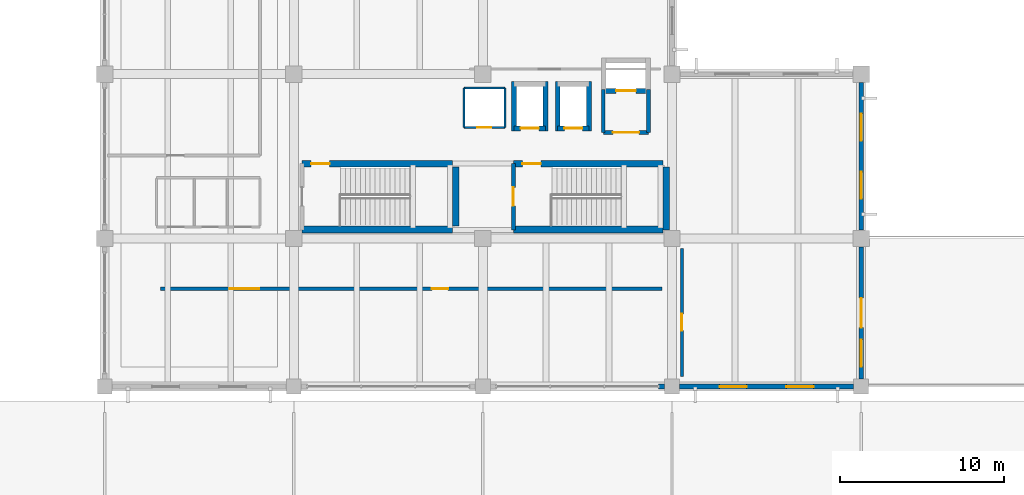
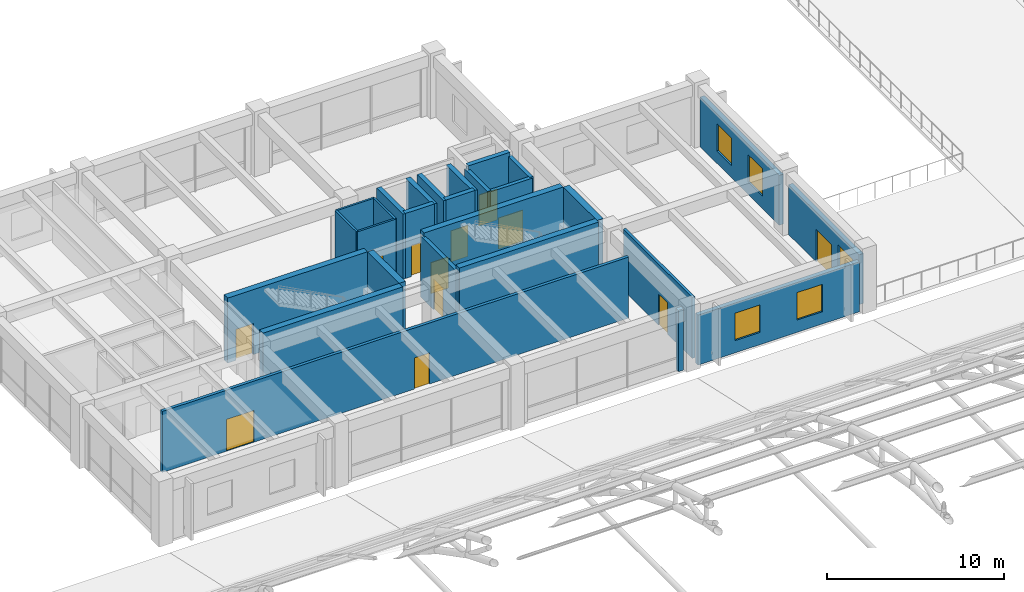
# One storey, part 141 of 154: 27 walls, 12 doors, 5 windows, 17 openings.
"""IFC4 building model written with IfcOpenShell, lengths in metres."""

from ifc_helpers import new_model, si_unit, direction, frame, frame_2d, origin, place, context, subcontext, project, spatial, rectangle, extrude, material, layer, layer_set, type_object, element, fill, save


model = new_model("IFC4")

# Units and contexts
model_context = context("Model", 3, precision=1e-05, world=origin(), true_north=direction((0.0, 1.0)))
body_context = subcontext(model_context, "Body", "Model", "MODEL_VIEW")
ifc_project = project(units=[si_unit("LENGTHUNIT", "METRE"), si_unit("AREAUNIT", "SQUARE_METRE"), si_unit("VOLUMEUNIT", "CUBIC_METRE"), si_unit("PLANEANGLEUNIT", "RADIAN"), si_unit("MASSUNIT", "GRAM", prefix="KILO")], contexts=[model_context])

# Site, building, storey
site_placement = place(None, origin())
site = spatial("IfcSite", under=ifc_project, at=site_placement, CompositionType="ELEMENT")
building_placement = place(site_placement, origin())
building = spatial("IfcBuilding", under=site, at=building_placement, Name="Ologun Quay Terminus", CompositionType="ELEMENT")
storey_placement = place(building_placement, frame((0.0, 0.0, 13.800048828125)))
storey = spatial("IfcBuildingStorey", under=building, at=storey_placement, Name="L03", CompositionType="ELEMENT", Elevation=13.800048828125)

# Wall, openings, doors
ifc_material_1 = material(Name="Concrete C40/50", Category="concrete")
ifc_layer_1 = layer(ifc_material_1, 0.199951171875)
ifc_layer_set_1 = layer_set([ifc_layer_1], Name="Concrete C40/50")
wall_type_1 = type_object("IfcWallType", Name="Corridor Fire-Rated Partition 200", PredefinedType="PARTITIONING", material=ifc_layer_set_1)
wall_1_placement = place(storey_placement, frame((118.39990234375, 91.75, 0.0), z_axis=(0.0, 0.0, 1.0), x_axis=(1.0, 0.0, 0.0)))
wall_1 = element("IfcWall", 1, at=wall_1_placement, inside=storey, type_object=wall_type_1, Name="PW-02 Partition ECor-S", PredefinedType="PARTITIONING", context=body_context, shape_type="SweptSolid", body=[
    extrude(rectangle(XDim=30.5, YDim=0.199951171875, at=frame_2d((15.25, 0.0))), origin(), (0.0, 0.0, 1.0), 4.219970703125),
])
opening_1_placement = place(wall_1_placement, frame((4.199951171875, 0.0, 0.0)))
opening_1 = element("IfcOpeningElement", 2, at=opening_1_placement, cuts=wall_1, Name="Opening ID-207", PredefinedType="OPENING", context=body_context, shape_type="SweptSolid", body=[
    extrude(rectangle(XDim=1.800048828125, YDim=2.199951171875, at=frame_2d((0.89990234375, 1.10009765625))), frame((0.0, 0.10986328125, 0.0), z_axis=(0.0, -1.0, 0.0), x_axis=(1.0, 0.0, 0.0)), (0.0, 0.0, 1.0), 0.219970703125),
])
opening_2_placement = place(wall_1_placement, frame((16.5, 0.0, 0.0)))
opening_2 = element("IfcOpeningElement", 3, at=opening_2_placement, cuts=wall_1, Name="Opening ID-208", PredefinedType="OPENING", context=body_context, shape_type="SweptSolid", body=[
    extrude(rectangle(XDim=0.97998046875, YDim=2.14990234375, at=frame_2d((0.489990234375, 1.074951171875))), frame((0.0, 0.10986328125, 0.0), z_axis=(0.0, -1.0, 0.0), x_axis=(1.0, 0.0, 0.0)), (0.0, 0.0, 1.0), 0.219970703125),
])
ifc_material_2 = material(Name="Steel S355", Category="steel")
door_type_1 = type_object("IfcDoorType", Name="Corridor Compartment Pair 1800x2200", OperationType="DOUBLE_DOOR_SINGLE_SWING", PredefinedType="DOOR", material=ifc_material_2)
door_1_placement = place(opening_1_placement, origin())
door_1 = element("IfcDoor", 4, at=door_1_placement, inside=storey, type_object=door_type_1, Name="FD-03 Door ID-207", OperationType="DOUBLE_DOOR_SINGLE_SWING", OverallHeight=2.199951171875, OverallWidth=1.800048828125, PredefinedType="DOOR", context=body_context, shape_type="SweptSolid", body=[
    extrude(rectangle(XDim=1.800048828125, YDim=2.199951171875, at=frame_2d((0.89990234375, 1.10009765625))), frame((0.0, 0.02490234375, 0.0), z_axis=(0.0, -1.0, 0.0), x_axis=(1.0, 0.0, 0.0)), (0.0, 0.0, 1.0), 0.050048828125),
])
fill(opening_1, door_1)
ifc_material_3 = material(Name="Timber Hardwood", Category="wood")
door_type_2 = type_object("IfcDoorType", Name="Operations Room Acoustic Leaf 980x2150", OperationType="SINGLE_SWING_LEFT", PredefinedType="DOOR", material=ifc_material_3)
door_2_placement = place(opening_2_placement, origin())
door_2 = element("IfcDoor", 5, at=door_2_placement, inside=storey, type_object=door_type_2, Name="ID-01 Door ID-208", OperationType="SINGLE_SWING_LEFT", OverallHeight=2.14990234375, OverallWidth=0.97998046875, PredefinedType="DOOR", context=body_context, shape_type="SweptSolid", body=[
    extrude(rectangle(XDim=0.97998046875, YDim=2.14990234375, at=frame_2d((0.489990234375, 1.074951171875))), frame((0.0, 0.02490234375, 0.0), z_axis=(0.0, -1.0, 0.0), x_axis=(1.0, 0.0, 0.0)), (0.0, 0.0, 1.0), 0.050048828125),
])
fill(opening_2, door_2)

# Wall
ifc_material_4 = material(Name="Concrete C40/50", Category="concrete")
ifc_layer_2 = layer(ifc_material_4, 0.39990234375)
ifc_layer_set_2 = layer_set([ifc_layer_2], Name="Concrete C40/50")
wall_type_2 = type_object("IfcWallType", Name="Coupled Wing Upper Core Shear Wall 400", PredefinedType="SHEAR", material=ifc_layer_set_2)
wall_2_placement = place(storey_placement, frame((127.0, 95.35009765625, 0.0), z_axis=(0.0, 0.0, 1.0), x_axis=(1.0, 0.0, 0.0)))
element("IfcWall", 6, at=wall_2_placement, inside=storey, type_object=wall_type_2, Name="EC1 Core South Shear Wall L03", PredefinedType="SHEAR", context=body_context, shape_type="SweptSolid", body=[
    extrude(rectangle(XDim=9.14990234375, YDim=0.39990234375, at=frame_2d((4.574951171875, 0.0))), origin(), (0.0, 0.0, 1.0), 4.5),
])

# Wall, opening, door
wall_3_placement = place(storey_placement, frame((127.0, 99.35009765625, 0.0), z_axis=(0.0, 0.0, 1.0), x_axis=(1.0, 0.0, 0.0)))
wall_3 = element("IfcWall", 7, at=wall_3_placement, inside=storey, type_object=wall_type_2, Name="EC1 Core North Shear Wall L03", PredefinedType="SHEAR", context=body_context, shape_type="SweptSolid", body=[
    extrude(rectangle(XDim=9.14990234375, YDim=0.39990234375, at=frame_2d((4.574951171875, 0.0))), origin(), (0.0, 0.0, 1.0), 4.5),
])
opening_3_placement = place(wall_3_placement, frame((0.550048828125, 0.0, 0.0)))
opening_3 = element("IfcOpeningElement", 8, at=opening_3_placement, cuts=wall_3, Name="Opening ID-199", PredefinedType="OPENING", context=body_context, shape_type="SweptSolid", body=[
    extrude(rectangle(XDim=1.1298828125, YDim=2.14990234375, at=frame_2d((0.56494140625, 1.074951171875))), frame((0.0, 0.2099609375, 0.0), z_axis=(0.0, -1.0, 0.0), x_axis=(1.0, 0.0, 0.0)), (0.0, 0.0, 1.0), 0.419921875),
])
ifc_material_5 = material(Name="Steel S355", Category="steel")
door_type_3 = type_object("IfcDoorType", Name="Stairwell Fire Escape Door 1130x2150", OperationType="SINGLE_SWING_LEFT", PredefinedType="DOOR", material=ifc_material_5)
door_3_placement = place(opening_3_placement, frame((0.56494140625, 0.0, 0.0), z_axis=(0.0, 0.0, 1.0), x_axis=(-1.0, 0.0, 0.0)))
door_3 = element("IfcDoor", 9, at=door_3_placement, inside=storey, type_object=door_type_3, Name="FD-01 Door ID-199", OperationType="SINGLE_SWING_LEFT", OverallHeight=2.14990234375, OverallWidth=1.1298828125, PredefinedType="DOOR", context=body_context, shape_type="SweptSolid", body=[
    extrude(rectangle(XDim=1.1298828125, YDim=2.14990234375, at=frame_2d((0.0, 1.074951171875))), frame((0.0, 0.02490234375, 0.0), z_axis=(0.0, -1.0, 0.0), x_axis=(1.0, 0.0, 0.0)), (0.0, 0.0, 1.0), 0.050048828125),
])
fill(opening_3, door_3)

# Walls
wall_4_placement = place(storey_placement, frame((136.35009765625, 95.550048828125, 0.0), z_axis=(0.0, 0.0, 1.0), x_axis=(0.0, 1.0, 0.0)))
element("IfcWall", 10, at=wall_4_placement, inside=storey, type_object=wall_type_2, Name="EC1 Core East Shear Wall L03", PredefinedType="SHEAR", context=body_context, shape_type="SweptSolid", body=[
    extrude(rectangle(XDim=3.599853515625, YDim=0.39990234375, at=frame_2d((1.7998046875, 0.0))), origin(), (0.0, 0.0, 1.0), 4.5),
])
wall_5_placement = place(storey_placement, frame((139.85009765625, 95.35009765625, 0.0), z_axis=(0.0, 0.0, 1.0), x_axis=(1.0, 0.0, 0.0)))
element("IfcWall", 11, at=wall_5_placement, inside=storey, type_object=wall_type_2, Name="EC2 Core South Shear Wall L03", PredefinedType="SHEAR", context=body_context, shape_type="SweptSolid", body=[
    extrude(rectangle(XDim=9.099853515625, YDim=0.39990234375, at=frame_2d((4.5498046875, 0.0))), origin(), (0.0, 0.0, 1.0), 4.5),
])

# Wall, opening, door
wall_6_placement = place(storey_placement, frame((139.85009765625, 99.35009765625, 0.0), z_axis=(0.0, 0.0, 1.0), x_axis=(1.0, 0.0, 0.0)))
wall_6 = element("IfcWall", 12, at=wall_6_placement, inside=storey, type_object=wall_type_2, Name="EC2 Core North Shear Wall L03", PredefinedType="SHEAR", context=body_context, shape_type="SweptSolid", body=[
    extrude(rectangle(XDim=9.099853515625, YDim=0.39990234375, at=frame_2d((4.5498046875, 0.0))), origin(), (0.0, 0.0, 1.0), 4.5),
])
opening_4_placement = place(wall_6_placement, frame((0.550048828125, 0.0, 0.0)))
opening_4 = element("IfcOpeningElement", 13, at=opening_4_placement, cuts=wall_6, Name="Opening ID-201", PredefinedType="OPENING", context=body_context, shape_type="SweptSolid", body=[
    extrude(rectangle(XDim=1.1298828125, YDim=2.14990234375, at=frame_2d((0.56494140625, 1.074951171875))), frame((0.0, 0.2099609375, 0.0), z_axis=(0.0, -1.0, 0.0), x_axis=(1.0, 0.0, 0.0)), (0.0, 0.0, 1.0), 0.419921875),
])
door_4_placement = place(opening_4_placement, frame((0.56494140625, 0.0, 0.0), z_axis=(0.0, 0.0, 1.0), x_axis=(-1.0, 0.0, 0.0)))
door_4 = element("IfcDoor", 14, at=door_4_placement, inside=storey, type_object=door_type_3, Name="FD-01 Door ID-201", OperationType="SINGLE_SWING_LEFT", OverallHeight=2.14990234375, OverallWidth=1.1298828125, PredefinedType="DOOR", context=body_context, shape_type="SweptSolid", body=[
    extrude(rectangle(XDim=1.1298828125, YDim=2.14990234375, at=frame_2d((0.0, 1.074951171875))), frame((0.0, 0.02490234375, 0.0), z_axis=(0.0, -1.0, 0.0), x_axis=(1.0, 0.0, 0.0)), (0.0, 0.0, 1.0), 0.050048828125),
])
fill(opening_4, door_4)

# Walls
wall_7_placement = place(storey_placement, frame((149.14990234375, 95.320068359375, 0.0), z_axis=(0.0, 0.0, 1.0), x_axis=(0.0, 1.0, 0.0)))
element("IfcWall", 15, at=wall_7_placement, inside=storey, type_object=wall_type_2, Name="EC2 Core East Shear Wall L03", PredefinedType="SHEAR", context=body_context, shape_type="SweptSolid", body=[
    extrude(rectangle(XDim=3.829833984375, YDim=0.39990234375, at=frame_2d((1.9150390625, 0.0))), origin(), (0.0, 0.0, 1.0), 4.5),
])
ifc_material_6 = material(Name="Concrete C40/50", Category="concrete")
ifc_layer_3 = layer(ifc_material_6, 0.280029296875)
ifc_layer_set_3 = layer_set([ifc_layer_3], Name="Concrete C40/50")
wall_type_3 = type_object("IfcWallType", Name="Courtyard Wing Spandrel Concrete Wall 280", PredefinedType="SOLIDWALL", material=ifc_layer_set_3)
wall_8_placement = place(storey_placement, frame((148.679931640625, 85.800048828125, 0.0), z_axis=(0.0, 0.0, 1.0), x_axis=(1.0, 0.0, 0.0)))
element("IfcWall", 16, at=wall_8_placement, inside=storey, type_object=wall_type_3, Name="Curtain Wall Jamb Pier CW-L03-139-J2", PredefinedType="SOLIDWALL", context=body_context, shape_type="SweptSolid", body=[
    extrude(rectangle(XDim=0.35009765625, YDim=0.280029296875, at=frame_2d((0.175048828125, 0.0))), origin(), (0.0, 0.0, 1.0), 4.22998046875),
])

# Wall, openings, windows
wall_9_placement = place(storey_placement, frame((149.969970703125, 85.800048828125, 0.0), z_axis=(0.0, 0.0, 1.0), x_axis=(1.0, 0.0, 0.0)))
wall_9 = element("IfcWall", 17, at=wall_9_placement, inside=storey, type_object=wall_type_3, Name="EW-02 Facade Wall WEW-EW-L03-4", PredefinedType="SOLIDWALL", context=body_context, shape_type="SweptSolid", body=[
    extrude(rectangle(XDim=10.56005859375, YDim=0.280029296875, at=frame_2d((5.280029296875, 0.0))), origin(), (0.0, 0.0, 1.0), 3.449951171875),
])
opening_5_placement = place(wall_9_placement, frame((2.419921875, 0.0, 0.85009765625)))
opening_5 = element("IfcOpeningElement", 18, at=opening_5_placement, cuts=wall_9, Name="Opening WN-417", PredefinedType="OPENING", context=body_context, shape_type="SweptSolid", body=[
    extrude(rectangle(XDim=1.64990234375, YDim=1.89990234375, at=frame_2d((0.824951171875, 0.949951171875))), frame((0.0, 0.14990234375, 0.0), z_axis=(0.0, -1.0, 0.0), x_axis=(1.0, 0.0, 0.0)), (0.0, 0.0, 1.0), 0.300048828125),
])
opening_6_placement = place(wall_9_placement, frame((6.489990234375, 0.0, 0.85009765625)))
opening_6 = element("IfcOpeningElement", 19, at=opening_6_placement, cuts=wall_9, Name="Opening WN-418", PredefinedType="OPENING", context=body_context, shape_type="SweptSolid", body=[
    extrude(rectangle(XDim=1.64990234375, YDim=1.89990234375, at=frame_2d((0.824951171875, 0.949951171875))), frame((0.0, 0.14990234375, 0.0), z_axis=(0.0, -1.0, 0.0), x_axis=(1.0, 0.0, 0.0)), (0.0, 0.0, 1.0), 0.300048828125),
])
ifc_material_7 = material(Name="Glass", Category="glass")
window_type = type_object("IfcWindowType", Name="Operations Admin Solar Window 1650x1900", PartitioningType="SINGLE_PANEL", PredefinedType="WINDOW", material=ifc_material_7)
window_1_placement = place(opening_5_placement, origin())
window_1 = element("IfcWindow", 20, at=window_1_placement, inside=storey, type_object=window_type, Name="W-21 Window WN-417", OverallHeight=1.89990234375, OverallWidth=1.64990234375, PartitioningType="SINGLE_PANEL", PredefinedType="WINDOW", context=body_context, shape_type="SweptSolid", body=[
    extrude(rectangle(XDim=1.64990234375, YDim=1.89990234375, at=frame_2d((0.824951171875, 0.949951171875))), frame((0.0, 0.030029296875, 0.0), z_axis=(0.0, -1.0, 0.0), x_axis=(1.0, 0.0, 0.0)), (0.0, 0.0, 1.0), 0.06005859375),
])
fill(opening_5, window_1)
window_2_placement = place(opening_6_placement, origin())
window_2 = element("IfcWindow", 21, at=window_2_placement, inside=storey, type_object=window_type, Name="W-21 Window WN-418", OverallHeight=1.89990234375, OverallWidth=1.64990234375, PartitioningType="SINGLE_PANEL", PredefinedType="WINDOW", context=body_context, shape_type="SweptSolid", body=[
    extrude(rectangle(XDim=1.64990234375, YDim=1.89990234375, at=frame_2d((0.824951171875, 0.949951171875))), frame((0.0, 0.030029296875, 0.0), z_axis=(0.0, -1.0, 0.0), x_axis=(1.0, 0.0, 0.0)), (0.0, 0.0, 1.0), 0.06005859375),
])
fill(opening_6, window_2)

# Wall, openings, window, door
wall_10_placement = place(storey_placement, frame((161.0, 86.27001953125, 0.0), z_axis=(0.0, 0.0, 1.0), x_axis=(0.0, 1.0, 0.0)))
wall_10 = element("IfcWall", 22, at=wall_10_placement, inside=storey, type_object=wall_type_3, Name="EW-02 Facade Wall WEW-EW-TER-L03-5", PredefinedType="SOLIDWALL", context=body_context, shape_type="SweptSolid", body=[
    extrude(rectangle(XDim=8.010009765625, YDim=0.280029296875, at=frame_2d((4.0048828125, 0.0))), origin(), (0.0, 0.0, 1.0), 3.449951171875),
])
opening_7_placement = place(wall_10_placement, frame((3.10498046875, 0.0, 0.0)))
opening_7 = element("IfcOpeningElement", 23, at=opening_7_placement, cuts=wall_10, Name="Opening ED-028", PredefinedType="OPENING", context=body_context, shape_type="SweptSolid", body=[
    extrude(rectangle(XDim=1.800048828125, YDim=2.25, at=frame_2d((0.89990234375, 1.125))), frame((0.0, 0.14990234375, 0.0), z_axis=(0.0, -1.0, 0.0), x_axis=(1.0, 0.0, 0.0)), (0.0, 0.0, 1.0), 0.300048828125),
])
opening_8_placement = place(wall_10_placement, frame((0.7275390625, 0.0, 0.780029296875)))
opening_8 = element("IfcOpeningElement", 24, at=opening_8_placement, cuts=wall_10, Name="Opening WN-419", PredefinedType="OPENING", context=body_context, shape_type="SweptSolid", body=[
    extrude(rectangle(XDim=1.64990234375, YDim=1.89990234375, at=frame_2d((0.824951171875, 0.949951171875))), frame((0.0, 0.14990234375, 0.0), z_axis=(0.0, -1.0, 0.0), x_axis=(1.0, 0.0, 0.0)), (0.0, 0.0, 1.0), 0.300048828125),
])
window_3_placement = place(opening_8_placement, origin())
window_3 = element("IfcWindow", 25, at=window_3_placement, inside=storey, type_object=window_type, Name="W-21 Window WN-419", OverallHeight=1.89990234375, OverallWidth=1.64990234375, PartitioningType="SINGLE_PANEL", PredefinedType="WINDOW", context=body_context, shape_type="SweptSolid", body=[
    extrude(rectangle(XDim=1.64990234375, YDim=1.89990234375, at=frame_2d((0.824951171875, 0.949951171875))), frame((0.0, 0.030029296875, 0.0), z_axis=(0.0, -1.0, 0.0), x_axis=(1.0, 0.0, 0.0)), (0.0, 0.0, 1.0), 0.06005859375),
])
fill(opening_8, window_3)
ifc_material_8 = material(Name="Glass", Category="glass")
door_type_4 = type_object("IfcDoorType", Name="Walkable Terrace Glazed Access Door 1800x2250", OperationType="DOUBLE_DOOR_SINGLE_SWING", PredefinedType="DOOR", material=ifc_material_8)
door_5_placement = place(opening_7_placement, frame((0.89990234375, 0.0, 0.0), z_axis=(0.0, 0.0, 1.0), x_axis=(-1.0, 0.0, 0.0)))
door_5 = element("IfcDoor", 26, at=door_5_placement, inside=storey, type_object=door_type_4, Name="D-05 Exterior Door ED-028", OperationType="DOUBLE_DOOR_SINGLE_SWING", OverallHeight=2.25, OverallWidth=1.800048828125, PredefinedType="DOOR", context=body_context, shape_type="SweptSolid", body=[
    extrude(rectangle(XDim=1.800048828125, YDim=2.25, at=frame_2d((0.0, 1.125))), frame((0.0, 0.02490234375, 0.0), z_axis=(0.0, -1.0, 0.0), x_axis=(1.0, 0.0, 0.0)), (0.0, 0.0, 1.0), 0.050048828125),
])
fill(opening_7, door_5)

# Wall, openings, windows
wall_11_placement = place(storey_placement, frame((161.0, 95.320068359375, 0.0), z_axis=(0.0, 0.0, 1.0), x_axis=(0.0, 1.0, 0.0)))
wall_11 = element("IfcWall", 27, at=wall_11_placement, inside=storey, type_object=wall_type_3, Name="EW-02 Facade Wall WEW-EW-L03-6", PredefinedType="SOLIDWALL", context=body_context, shape_type="SweptSolid", body=[
    extrude(rectangle(XDim=8.9599609375, YDim=0.280029296875, at=frame_2d((4.47998046875, 0.0))), origin(), (0.0, 0.0, 1.0), 3.449951171875),
])
opening_9_placement = place(wall_11_placement, frame((1.88671875, 0.0, 0.85009765625)))
opening_9 = element("IfcOpeningElement", 28, at=opening_9_placement, cuts=wall_11, Name="Opening WN-420", PredefinedType="OPENING", context=body_context, shape_type="SweptSolid", body=[
    extrude(rectangle(XDim=1.64990234375, YDim=1.89990234375, at=frame_2d((0.824951171875, 0.949951171875))), frame((0.0, 0.14990234375, 0.0), z_axis=(0.0, -1.0, 0.0), x_axis=(1.0, 0.0, 0.0)), (0.0, 0.0, 1.0), 0.300048828125),
])
opening_10_placement = place(wall_11_placement, frame((5.42333984375, 0.0, 0.85009765625)))
opening_10 = element("IfcOpeningElement", 29, at=opening_10_placement, cuts=wall_11, Name="Opening WN-421", PredefinedType="OPENING", context=body_context, shape_type="SweptSolid", body=[
    extrude(rectangle(XDim=1.64990234375, YDim=1.89990234375, at=frame_2d((0.824951171875, 0.949951171875))), frame((0.0, 0.14990234375, 0.0), z_axis=(0.0, -1.0, 0.0), x_axis=(1.0, 0.0, 0.0)), (0.0, 0.0, 1.0), 0.300048828125),
])
window_4_placement = place(opening_9_placement, origin())
window_4 = element("IfcWindow", 30, at=window_4_placement, inside=storey, type_object=window_type, Name="W-21 Window WN-420", OverallHeight=1.89990234375, OverallWidth=1.64990234375, PartitioningType="SINGLE_PANEL", PredefinedType="WINDOW", context=body_context, shape_type="SweptSolid", body=[
    extrude(rectangle(XDim=1.64990234375, YDim=1.89990234375, at=frame_2d((0.824951171875, 0.949951171875))), frame((0.0, 0.030029296875, 0.0), z_axis=(0.0, -1.0, 0.0), x_axis=(1.0, 0.0, 0.0)), (0.0, 0.0, 1.0), 0.06005859375),
])
fill(opening_9, window_4)
window_5_placement = place(opening_10_placement, origin())
window_5 = element("IfcWindow", 31, at=window_5_placement, inside=storey, type_object=window_type, Name="W-21 Window WN-421", OverallHeight=1.89990234375, OverallWidth=1.64990234375, PartitioningType="SINGLE_PANEL", PredefinedType="WINDOW", context=body_context, shape_type="SweptSolid", body=[
    extrude(rectangle(XDim=1.64990234375, YDim=1.89990234375, at=frame_2d((0.824951171875, 0.949951171875))), frame((0.0, 0.030029296875, 0.0), z_axis=(0.0, -1.0, 0.0), x_axis=(1.0, 0.0, 0.0)), (0.0, 0.0, 1.0), 0.06005859375),
])
fill(opening_10, window_5)

# Wall, opening, door
ifc_material_9 = material(Name="Concrete C40/50", Category="concrete")
ifc_layer_4 = layer(ifc_material_9, 0.239990234375)
ifc_layer_set_4 = layer_set([ifc_layer_4], Name="Concrete C40/50")
wall_type_4 = type_object("IfcWallType", Name="Fire Compartment Blockwork Wall 240", PredefinedType="SOLIDWALL", material=ifc_layer_set_4)
wall_12_placement = place(storey_placement, frame((139.85009765625, 95.330078125, 0.0), z_axis=(0.0, 0.0, 1.0), x_axis=(0.0, 1.0, 0.0)))
wall_12 = element("IfcWall", 32, at=wall_12_placement, inside=storey, type_object=wall_type_4, Name="PW-01 Partition EStair2-W", PredefinedType="SOLIDWALL", context=body_context, shape_type="SweptSolid", body=[
    extrude(rectangle(XDim=4.0400390625, YDim=0.239990234375, at=frame_2d((2.02001953125, 0.0))), origin(), (0.0, 0.0, 1.0), 4.219970703125),
])
opening_11_placement = place(wall_12_placement, frame((1.449951171875, 0.0, 0.0)))
opening_11 = element("IfcOpeningElement", 33, at=opening_11_placement, cuts=wall_12, Name="Opening ID-200", PredefinedType="OPENING", context=body_context, shape_type="SweptSolid", body=[
    extrude(rectangle(XDim=1.1298828125, YDim=2.14990234375, at=frame_2d((0.56494140625, 1.074951171875))), frame((0.0, 0.1298828125, 0.0), z_axis=(0.0, -1.0, 0.0), x_axis=(1.0, 0.0, 0.0)), (0.0, 0.0, 1.0), 0.260009765625),
])
door_6_placement = place(opening_11_placement, frame((0.56494140625, 0.0, 0.0), z_axis=(0.0, 0.0, 1.0), x_axis=(-1.0, 0.0, 0.0)))
door_6 = element("IfcDoor", 34, at=door_6_placement, inside=storey, type_object=door_type_3, Name="FD-01 Door ID-200", OperationType="SINGLE_SWING_LEFT", OverallHeight=2.14990234375, OverallWidth=1.1298828125, PredefinedType="DOOR", context=body_context, shape_type="SweptSolid", body=[
    extrude(rectangle(XDim=1.1298828125, YDim=2.14990234375, at=frame_2d((0.0, 1.074951171875))), frame((0.0, 0.02490234375, 0.0), z_axis=(0.0, -1.0, 0.0), x_axis=(1.0, 0.0, 0.0)), (0.0, 0.0, 1.0), 0.050048828125),
])
fill(opening_11, door_6)

wall_13_placement = place(storey_placement, frame((145.320068359375, 101.25, 0.0), z_axis=(0.0, 0.0, 1.0), x_axis=(1.0, 0.0, 0.0)))
wall_13 = element("IfcWall", 35, at=wall_13_placement, inside=storey, type_object=wall_type_4, Name="PW-01 Partition EFFL-S", PredefinedType="SOLIDWALL", context=body_context, shape_type="SweptSolid", body=[
    extrude(rectangle(XDim=2.760009765625, YDim=0.239990234375, at=frame_2d((1.3798828125, 0.0))), origin(), (0.0, 0.0, 1.0), 4.219970703125),
])
opening_12_placement = place(wall_13_placement, frame((0.580078125, 0.0, 0.0)))
opening_12 = element("IfcOpeningElement", 36, at=opening_12_placement, cuts=wall_13, Name="Opening ID-202", PredefinedType="OPENING", context=body_context, shape_type="SweptSolid", body=[
    extrude(rectangle(XDim=1.60009765625, YDim=2.14990234375, at=frame_2d((0.800048828125, 1.074951171875))), frame((0.0, 0.1298828125, 0.0), z_axis=(0.0, -1.0, 0.0), x_axis=(1.0, 0.0, 0.0)), (0.0, 0.0, 1.0), 0.260009765625),
])
ifc_material_10 = material(Name="Steel S355", Category="steel")
door_type_5 = type_object("IfcDoorType", Name="Firefighting Lobby Double Smoke Door 1600x2150", OperationType="DOUBLE_DOOR_SINGLE_SWING", PredefinedType="DOOR", material=ifc_material_10)
door_7_placement = place(opening_12_placement, origin())
door_7 = element("IfcDoor", 37, at=door_7_placement, inside=storey, type_object=door_type_5, Name="FD-02 Door ID-202", OperationType="DOUBLE_DOOR_SINGLE_SWING", OverallHeight=2.14990234375, OverallWidth=1.60009765625, PredefinedType="DOOR", context=body_context, shape_type="SweptSolid", body=[
    extrude(rectangle(XDim=1.60009765625, YDim=2.14990234375, at=frame_2d((0.800048828125, 1.074951171875))), frame((0.0, 0.02490234375, 0.0), z_axis=(0.0, -1.0, 0.0), x_axis=(1.0, 0.0, 0.0)), (0.0, 0.0, 1.0), 0.050048828125),
])
fill(opening_12, door_7)

# Walls
for number, where, z_axis, x_axis, name in (
    (38, (145.320068359375, 101.25, 0.0), (0.0, 0.0, 1.0), (0.0, 1.0, 0.0), "PW-01 Partition EFFL-W"),
    (39, (148.080078125, 101.25, 0.0), (0.0, 0.0, 1.0), (0.0, 1.0, 0.0), "PW-01 Partition EFFL-E"),
):
    element("IfcWall", number, at=place(storey_placement, frame(where, z_axis=z_axis, x_axis=x_axis)), inside=storey, type_object=wall_type_4, Name=name, PredefinedType="SOLIDWALL", context=body_context, shape_type="SweptSolid", body=[
        extrude(rectangle(XDim=2.60009765625, YDim=0.239990234375, at=frame_2d((1.300048828125, 0.0))), origin(), (0.0, 0.0, 1.0), 4.219970703125),
    ])

# Wall, opening, door
ifc_material_11 = material(Name="Concrete C40/50", Category="concrete")
ifc_layer_5 = layer(ifc_material_11, 0.300048828125)
ifc_layer_set_5 = layer_set([ifc_layer_5], Name="Concrete C40/50")
wall_type_5 = type_object("IfcWallType", Name="Lift Shaft Structural Shear Wall 300", PredefinedType="SHEAR", material=ifc_layer_set_5)
wall_14_placement = place(storey_placement, frame((145.35009765625, 103.780029296875, 0.0), z_axis=(0.0, 0.0, 1.0), x_axis=(1.0, 0.0, 0.0)))
wall_14 = element("IfcWall", 40, at=wall_14_placement, inside=storey, type_object=wall_type_5, Name="Lift FFL-02 Shaft Wall S L03", PredefinedType="SHEAR", context=body_context, shape_type="SweptSolid", body=[
    extrude(rectangle(XDim=2.699951171875, YDim=0.300048828125, at=frame_2d((1.35009765625, 0.0))), origin(), (0.0, 0.0, 1.0), 4.5),
])
opening_13_placement = place(wall_14_placement, frame((0.75, 0.0, 0.0)))
opening_13 = element("IfcOpeningElement", 41, at=opening_13_placement, cuts=wall_14, Name="Opening ID-013", PredefinedType="OPENING", context=body_context, shape_type="SweptSolid", body=[
    extrude(rectangle(XDim=1.199951171875, YDim=2.14990234375, at=frame_2d((0.60009765625, 1.074951171875))), frame((0.0, 0.16015625, 0.0), z_axis=(0.0, -1.0, 0.0), x_axis=(1.0, 0.0, 0.0)), (0.0, 0.0, 1.0), 0.320068359375),
])
ifc_material_12 = material(Name="Steel S355", Category="steel")
door_type_6 = type_object("IfcDoorType", Name="Firefighting Lift Landing Sliding Door 1200x2150", OperationType="SLIDING_TO_RIGHT", PredefinedType="DOOR", material=ifc_material_12)
door_8_placement = place(opening_13_placement, origin())
door_8 = element("IfcDoor", 42, at=door_8_placement, inside=storey, type_object=door_type_6, Name="LD-02 Door ID-013", OperationType="SLIDING_TO_RIGHT", OverallHeight=2.14990234375, OverallWidth=1.199951171875, PredefinedType="DOOR", context=body_context, shape_type="SweptSolid", body=[
    extrude(rectangle(XDim=1.199951171875, YDim=2.14990234375, at=frame_2d((0.60009765625, 1.074951171875))), frame((0.0, 0.02490234375, 0.0), z_axis=(0.0, -1.0, 0.0), x_axis=(1.0, 0.0, 0.0)), (0.0, 0.0, 1.0), 0.050048828125),
])
fill(opening_13, door_8)

wall_15_placement = place(storey_placement, frame((139.89990234375, 101.5, 0.0), z_axis=(0.0, 0.0, 1.0), x_axis=(1.0, 0.0, 0.0)))
wall_15 = element("IfcWall", 43, at=wall_15_placement, inside=storey, type_object=wall_type_5, Name="Lift PL-E1 Shaft Wall S L03", PredefinedType="SHEAR", context=body_context, shape_type="SweptSolid", body=[
    extrude(rectangle(XDim=1.900146484375, YDim=0.300048828125, at=frame_2d((0.9501953125, 0.0))), origin(), (0.0, 0.0, 1.0), 4.5),
])
opening_14_placement = place(wall_15_placement, frame((0.39990234375, 0.0, 0.0)))
opening_14 = element("IfcOpeningElement", 44, at=opening_14_placement, cuts=wall_15, Name="Opening ID-035", PredefinedType="OPENING", context=body_context, shape_type="SweptSolid", body=[
    extrude(rectangle(XDim=1.10009765625, YDim=2.14990234375, at=frame_2d((0.550048828125, 1.074951171875))), frame((0.0, 0.16015625, 0.0), z_axis=(0.0, -1.0, 0.0), x_axis=(1.0, 0.0, 0.0)), (0.0, 0.0, 1.0), 0.320068359375),
])
ifc_material_13 = material(Name="Steel S355", Category="steel")
door_type_7 = type_object("IfcDoorType", Name="Lift Landing Sliding Door 1100x2150", OperationType="SLIDING_TO_LEFT", PredefinedType="DOOR", material=ifc_material_13)
door_9_placement = place(opening_14_placement, origin())
door_9 = element("IfcDoor", 45, at=door_9_placement, inside=storey, type_object=door_type_7, Name="LD-01 Door ID-035", OperationType="SLIDING_TO_LEFT", OverallHeight=2.14990234375, OverallWidth=1.10009765625, PredefinedType="DOOR", context=body_context, shape_type="SweptSolid", body=[
    extrude(rectangle(XDim=1.10009765625, YDim=2.14990234375, at=frame_2d((0.550048828125, 1.074951171875))), frame((0.0, 0.02490234375, 0.0), z_axis=(0.0, -1.0, 0.0), x_axis=(1.0, 0.0, 0.0)), (0.0, 0.0, 1.0), 0.050048828125),
])
fill(opening_14, door_9)

# Walls
for number, where, z_axis, x_axis, name in (
    (46, (139.89990234375, 101.35009765625, 0.0), (0.0, 0.0, 1.0), (0.0, 1.0, 0.0), "Lift PL-E1 Shaft Wall W L03"),
    (47, (141.800048828125, 101.35009765625, 0.0), (0.0, 0.0, 1.0), (0.0, 1.0, 0.0), "Lift PL-E1 Shaft Wall E L03"),
):
    element("IfcWall", number, at=place(storey_placement, frame(where, z_axis=z_axis, x_axis=x_axis)), inside=storey, type_object=wall_type_5, Name=name, PredefinedType="SHEAR", context=body_context, shape_type="SweptSolid", body=[
        extrude(rectangle(XDim=3.0, YDim=0.300048828125, at=frame_2d((1.5, 0.0))), origin(), (0.0, 0.0, 1.0), 4.5),
    ])

# Wall, opening, door
wall_16_placement = place(storey_placement, frame((142.550048828125, 101.5, 0.0), z_axis=(0.0, 0.0, 1.0), x_axis=(1.0, 0.0, 0.0)))
wall_16 = element("IfcWall", 48, at=wall_16_placement, inside=storey, type_object=wall_type_5, Name="Lift PL-E2 Shaft Wall S L03", PredefinedType="SHEAR", context=body_context, shape_type="SweptSolid", body=[
    extrude(rectangle(XDim=1.89990234375, YDim=0.300048828125, at=frame_2d((0.949951171875, 0.0))), origin(), (0.0, 0.0, 1.0), 4.5),
])
opening_15_placement = place(wall_16_placement, frame((0.39990234375, 0.0, 0.0)))
opening_15 = element("IfcOpeningElement", 49, at=opening_15_placement, cuts=wall_16, Name="Opening ID-043", PredefinedType="OPENING", context=body_context, shape_type="SweptSolid", body=[
    extrude(rectangle(XDim=1.10009765625, YDim=2.14990234375, at=frame_2d((0.550048828125, 1.074951171875))), frame((0.0, 0.16015625, 0.0), z_axis=(0.0, -1.0, 0.0), x_axis=(1.0, 0.0, 0.0)), (0.0, 0.0, 1.0), 0.320068359375),
])
door_10_placement = place(opening_15_placement, origin())
door_10 = element("IfcDoor", 50, at=door_10_placement, inside=storey, type_object=door_type_7, Name="LD-01 Door ID-043", OperationType="SLIDING_TO_LEFT", OverallHeight=2.14990234375, OverallWidth=1.10009765625, PredefinedType="DOOR", context=body_context, shape_type="SweptSolid", body=[
    extrude(rectangle(XDim=1.10009765625, YDim=2.14990234375, at=frame_2d((0.550048828125, 1.074951171875))), frame((0.0, 0.02490234375, 0.0), z_axis=(0.0, -1.0, 0.0), x_axis=(1.0, 0.0, 0.0)), (0.0, 0.0, 1.0), 0.050048828125),
])
fill(opening_15, door_10)

# Walls
for number, where, z_axis, x_axis, name in (
    (51, (142.550048828125, 101.35009765625, 0.0), (0.0, 0.0, 1.0), (0.0, 1.0, 0.0), "Lift PL-E2 Shaft Wall W L03"),
    (52, (144.449951171875, 101.35009765625, 0.0), (0.0, 0.0, 1.0), (0.0, 1.0, 0.0), "Lift PL-E2 Shaft Wall E L03"),
):
    element("IfcWall", number, at=place(storey_placement, frame(where, z_axis=z_axis, x_axis=x_axis)), inside=storey, type_object=wall_type_5, Name=name, PredefinedType="SHEAR", context=body_context, shape_type="SweptSolid", body=[
        extrude(rectangle(XDim=3.0, YDim=0.300048828125, at=frame_2d((1.5, 0.0))), origin(), (0.0, 0.0, 1.0), 4.5),
    ])

# Wall, opening, door
ifc_material_14 = material(Name="Gypsum Acoustic Stud")
ifc_layer_6 = layer(ifc_material_14, 0.175048828125)
ifc_layer_set_6 = layer_set([ifc_layer_6], Name="Gypsum Acoustic Stud")
wall_type_6 = type_object("IfcWallType", Name="Operations & Control Acoustic Partition 175", PredefinedType="PARTITIONING", material=ifc_layer_set_6)
wall_17_placement = place(storey_placement, frame((150.10009765625, 86.39990234375, 0.0), z_axis=(0.0, 0.0, 1.0), x_axis=(0.0, 1.0, 0.0)))
wall_17 = element("IfcWall", 53, at=wall_17_placement, inside=storey, type_object=wall_type_6, Name="PW-03 Partition L03-CrewBriefing-W", PredefinedType="PARTITIONING", context=body_context, shape_type="SweptSolid", body=[
    extrude(rectangle(XDim=7.800048828125, YDim=0.175048828125, at=frame_2d((3.89990234375, 0.0))), origin(), (0.0, 0.0, 1.0), 4.219970703125),
])
opening_16_placement = place(wall_17_placement, frame((2.800048828125, 0.0, 0.0)))
opening_16 = element("IfcOpeningElement", 54, at=opening_16_placement, cuts=wall_17, Name="Opening ID-331", PredefinedType="OPENING", context=body_context, shape_type="SweptSolid", body=[
    extrude(rectangle(XDim=1.02001953125, YDim=2.14990234375, at=frame_2d((0.510009765625, 1.074951171875))), frame((0.0, 0.09765625, 0.0), z_axis=(0.0, -1.0, 0.0), x_axis=(1.0, 0.0, 0.0)), (0.0, 0.0, 1.0), 0.195068359375),
])
ifc_material_15 = material(Name="Timber Hardwood", Category="wood")
door_type_8 = type_object("IfcDoorType", Name="Administration Suite Door 1020x2150", OperationType="SINGLE_SWING_RIGHT", PredefinedType="DOOR", material=ifc_material_15)
door_11_placement = place(opening_16_placement, origin())
door_11 = element("IfcDoor", 55, at=door_11_placement, inside=storey, type_object=door_type_8, Name="ID-02 Door ID-331", OperationType="SINGLE_SWING_RIGHT", OverallHeight=2.14990234375, OverallWidth=1.02001953125, PredefinedType="DOOR", context=body_context, shape_type="SweptSolid", body=[
    extrude(rectangle(XDim=1.02001953125, YDim=2.14990234375, at=frame_2d((0.510009765625, 1.074951171875))), frame((0.0, 0.02490234375, 0.0), z_axis=(0.0, -1.0, 0.0), x_axis=(1.0, 0.0, 0.0)), (0.0, 0.0, 1.0), 0.050048828125),
])
fill(opening_16, door_11)

ifc_material_16 = material(Name="Concrete C40/50", Category="concrete")
ifc_layer_7 = layer(ifc_material_16, 0.1298828125)
ifc_layer_set_7 = layer_set([ifc_layer_7], Name="Concrete C40/50")
wall_type_7 = type_object("IfcWallType", Name="Riser & Service Duct Wall 130", PredefinedType="PLUMBINGWALL", material=ifc_layer_set_7)
wall_18_placement = place(storey_placement, frame((136.85009765625, 101.550048828125, 0.0), z_axis=(0.0, 0.0, 1.0), x_axis=(1.0, 0.0, 0.0)))
wall_18 = element("IfcWall", 56, at=wall_18_placement, inside=storey, type_object=wall_type_7, Name="PW-07 Partition ERiser-S", PredefinedType="PLUMBINGWALL", context=body_context, shape_type="SweptSolid", body=[
    extrude(rectangle(XDim=2.5, YDim=0.1298828125, at=frame_2d((1.25, 0.0))), origin(), (0.0, 0.0, 1.0), 4.219970703125),
])
opening_17_placement = place(wall_18_placement, frame((0.820068359375, 0.0, 0.0)))
opening_17 = element("IfcOpeningElement", 57, at=opening_17_placement, cuts=wall_18, Name="Opening ID-203", PredefinedType="OPENING", context=body_context, shape_type="SweptSolid", body=[
    extrude(rectangle(XDim=0.85009765625, YDim=2.0, at=frame_2d((0.425048828125, 1.0))), frame((0.0, 0.074951171875, 0.0), z_axis=(0.0, -1.0, 0.0), x_axis=(1.0, 0.0, 0.0)), (0.0, 0.0, 1.0), 0.14990234375),
])
ifc_material_17 = material(Name="Steel S355", Category="steel")
door_type_9 = type_object("IfcDoorType", Name="MEP Riser Access Trapdoor 850x2000", OperationType="SINGLE_SWING_LEFT", PredefinedType="TRAPDOOR", material=ifc_material_17)
door_12_placement = place(opening_17_placement, origin())
door_12 = element("IfcDoor", 58, at=door_12_placement, inside=storey, type_object=door_type_9, Name="RD-01 Door ID-203", OperationType="SINGLE_SWING_LEFT", OverallHeight=2.0, OverallWidth=0.85009765625, PredefinedType="TRAPDOOR", context=body_context, shape_type="SweptSolid", body=[
    extrude(rectangle(XDim=0.85009765625, YDim=2.0, at=frame_2d((0.425048828125, 1.0))), frame((0.0, 0.02490234375, 0.0), z_axis=(0.0, -1.0, 0.0), x_axis=(1.0, 0.0, 0.0)), (0.0, 0.0, 1.0), 0.050048828125),
])
fill(opening_17, door_12)

# Walls
for number, where, z_axis, x_axis, name in (
    (59, (136.85009765625, 101.550048828125, 0.0), (0.0, 0.0, 1.0), (0.0, 1.0, 0.0), "PW-07 Partition ERiser-W"),
    (60, (139.35009765625, 101.550048828125, 0.0), (0.0, 0.0, 1.0), (0.0, 1.0, 0.0), "PW-07 Partition ERiser-E"),
):
    element("IfcWall", number, at=place(storey_placement, frame(where, z_axis=z_axis, x_axis=x_axis)), inside=storey, type_object=wall_type_7, Name=name, PredefinedType="PLUMBINGWALL", context=body_context, shape_type="SweptSolid", body=[
        extrude(rectangle(XDim=2.39990234375, YDim=0.1298828125, at=frame_2d((1.199951171875, 0.0))), origin(), (0.0, 0.0, 1.0), 4.219970703125),
    ])
wall_19_placement = place(storey_placement, frame((136.85009765625, 103.949951171875, 0.0), z_axis=(0.0, 0.0, 1.0), x_axis=(1.0, 0.0, 0.0)))
element("IfcWall", 61, at=wall_19_placement, inside=storey, type_object=wall_type_7, Name="PW-07 Partition ERiser-N", PredefinedType="PLUMBINGWALL", context=body_context, shape_type="SweptSolid", body=[
    extrude(rectangle(XDim=2.5, YDim=0.1298828125, at=frame_2d((1.25, 0.0))), origin(), (0.0, 0.0, 1.0), 4.219970703125),
])

save(model, "model.ifc")
